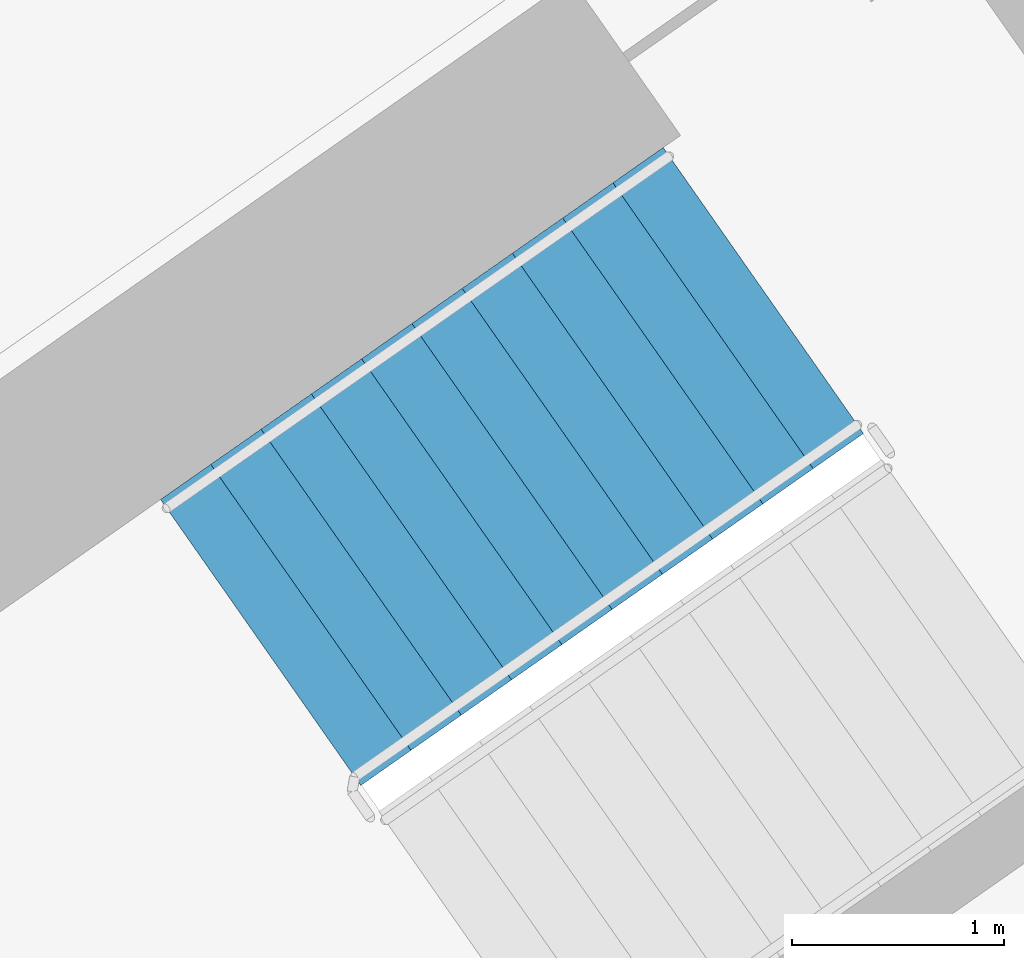
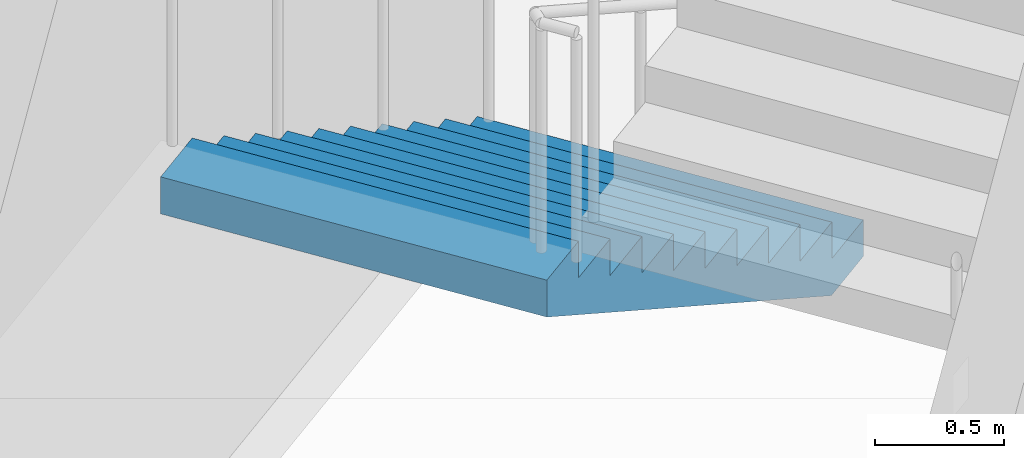
# One storey, part 15 of 30: 1 stair flight, 1 element without a shape of its own.
"""IFC4 building model written with IfcOpenShell, lengths in metres."""

from ifc_helpers import new_model, si_unit, direction, frame, origin, place, context, subcontext, project, spatial, faceted_brep, material, type_object, element, aggregate, save


model = new_model("IFC4")

# Units and contexts
model_context = context("Model", 3, precision=1e-05, world=origin(), true_north=direction((0.0, 1.0)))
body_context = subcontext(model_context, "Body", "Model", "MODEL_VIEW")
ifc_project = project(units=[si_unit("LENGTHUNIT", "METRE"), si_unit("AREAUNIT", "SQUARE_METRE"), si_unit("VOLUMEUNIT", "CUBIC_METRE"), si_unit("PLANEANGLEUNIT", "RADIAN"), si_unit("MASSUNIT", "GRAM", prefix="KILO")], contexts=[model_context])

# Site, building, storey
site_placement = place(None, origin())
site = spatial("IfcSite", under=ifc_project, at=site_placement, CompositionType="ELEMENT")
building_placement = place(site_placement, origin())
building = spatial("IfcBuilding", under=site, at=building_placement, Name="Qamariyya Broadcast Tower", CompositionType="ELEMENT")
storey_placement = place(building_placement, frame((0.0, 0.0, 125.300048828125)))
storey = spatial("IfcBuildingStorey", under=building, at=storey_placement, Name="L28", CompositionType="ELEMENT", Elevation=125.300048828125)

# Stair, stair flight
ifc_material = material(Name="Concrete C50/60", Category="concrete")
stair_type = type_object("IfcStairType", Name="Exit stair 22 risers of 173 mm", PredefinedType="HALF_TURN_STAIR", material=ifc_material)
stair_placement = place(storey_placement, origin())
stair = element("IfcStair", 1, at=stair_placement, inside=storey, type_object=stair_type, Name="L28 Stair E2", PredefinedType="HALF_TURN_STAIR")
stair_flight_type = type_object("IfcStairFlightType", Name="Exit stair flight 11 risers of 173 mm", PredefinedType="STRAIGHT", material=ifc_material)
stair_flight_placement = place(storey_placement, frame((40.558837890625, -47.685302734375, 0.0), z_axis=(0.0, 0.0, 1.0), x_axis=(-0.819152044289, -0.573576436351, 0.0)))
stair_flight = element("IfcStairFlight", 2, at=stair_flight_placement, type_object=stair_flight_type, Name="ST-E2 flight 1", NumberOfRisers=11, NumberOfTreads=10, PredefinedType="STRAIGHT", RiserHeight=0.172727273, TreadLength=0.29, context=body_context, shape_type="Brep", body=[
    faceted_brep([(0.0, 0.824951171875, 0.0), (0.0, 0.824951171875, 0.172607421875), (0.2900390625, 0.824951171875, 0.172607421875), (0.2900390625, 0.824951171875, 0.345458984375), (0.580078125, 0.824951171875, 0.345458984375), (0.580078125, 0.824951171875, 0.51806640625), (0.8701171875, 0.824951171875, 0.51806640625), (0.8701171875, 0.824951171875, 0.69091796875), (1.159912109375, 0.824951171875, 0.69091796875), (1.159912109375, 0.824951171875, 0.863525390625), (1.449951171875, 0.824951171875, 0.863525390625), (1.449951171875, 0.824951171875, 1.036376953125), (1.739990234375, 0.824951171875, 1.036376953125), (1.739990234375, 0.824951171875, 1.208984375), (2.030029296875, 0.824951171875, 1.208984375), (2.030029296875, 0.824951171875, 1.3818359375), (2.320068359375, 0.824951171875, 1.3818359375), (2.320068359375, 0.824951171875, 1.554443359375), (2.610107421875, 0.824951171875, 1.554443359375), (2.610107421875, 0.824951171875, 1.727294921875), (2.89990234375, 0.824951171875, 1.727294921875), (2.89990234375, 0.824951171875, 1.552734375), (0.29296875, 0.824951171875, 0.0), (0.29296875, -0.824951171875, 0.0), (2.89990234375, -0.824951171875, 1.552734375), (2.89990234375, -0.824951171875, 1.727294921875), (2.610107421875, -0.824951171875, 1.727294921875), (2.610107421875, -0.824951171875, 1.554443359375), (2.320068359375, -0.824951171875, 1.554443359375), (2.320068359375, -0.824951171875, 1.3818359375), (2.030029296875, -0.824951171875, 1.3818359375), (2.030029296875, -0.824951171875, 1.208984375), (1.739990234375, -0.824951171875, 1.208984375), (1.739990234375, -0.824951171875, 1.036376953125), (1.449951171875, -0.824951171875, 1.036376953125), (1.449951171875, -0.824951171875, 0.863525390625), (1.159912109375, -0.824951171875, 0.863525390625), (1.159912109375, -0.824951171875, 0.69091796875), (0.8701171875, -0.824951171875, 0.69091796875), (0.8701171875, -0.824951171875, 0.51806640625), (0.580078125, -0.824951171875, 0.51806640625), (0.580078125, -0.824951171875, 0.345458984375), (0.2900390625, -0.824951171875, 0.345458984375), (0.2900390625, -0.824951171875, 0.172607421875), (0.0, -0.824951171875, 0.172607421875), (0.0, -0.824951171875, 0.0), (0.0, 0.10009765625, 0.0), (0.0, 0.086669921875, 0.0), (0.0, 0.0732421875, 0.0), (0.0, 0.06005859375, 0.0), (0.0, 0.046630859375, 0.0), (0.0, 0.033447265625, 0.0), (0.0, 0.02001953125, 0.0), (0.0, 0.006591796875, 0.0), (0.0, -0.006591796875, 0.0), (0.0, -0.02001953125, 0.0), (0.0, -0.033447265625, 0.0), (0.0, -0.046630859375, 0.0), (0.0, -0.06005859375, 0.0), (0.0, -0.0732421875, 0.0), (0.0, -0.086669921875, 0.0), (0.0, -0.10009765625, 0.0), (0.0, -0.10009765625, 0.172607421875), (0.0, -0.086669921875, 0.172607421875), (0.0, -0.0732421875, 0.172607421875), (0.0, -0.06005859375, 0.172607421875), (0.0, -0.046630859375, 0.172607421875), (0.0, -0.033447265625, 0.172607421875), (0.0, -0.02001953125, 0.172607421875), (0.0, -0.006591796875, 0.172607421875), (0.0, 0.006591796875, 0.172607421875), (0.0, 0.02001953125, 0.172607421875), (0.0, 0.033447265625, 0.172607421875), (0.0, 0.046630859375, 0.172607421875), (0.0, 0.06005859375, 0.172607421875), (0.0, 0.0732421875, 0.172607421875), (0.0, 0.086669921875, 0.172607421875), (0.0, 0.10009765625, 0.172607421875), (0.2900390625, -0.10009765625, 0.172607421875), (0.2900390625, -0.086669921875, 0.172607421875), (0.2900390625, -0.0732421875, 0.172607421875), (0.2900390625, -0.06005859375, 0.172607421875), (0.2900390625, -0.046630859375, 0.172607421875), (0.2900390625, -0.033447265625, 0.172607421875), (0.2900390625, -0.02001953125, 0.172607421875), (0.2900390625, -0.006591796875, 0.172607421875), (0.2900390625, 0.006591796875, 0.172607421875), (0.2900390625, 0.02001953125, 0.172607421875), (0.2900390625, 0.033447265625, 0.172607421875), (0.2900390625, 0.046630859375, 0.172607421875), (0.2900390625, 0.06005859375, 0.172607421875), (0.2900390625, 0.0732421875, 0.172607421875), (0.2900390625, 0.086669921875, 0.172607421875), (0.2900390625, 0.10009765625, 0.172607421875), (0.2900390625, -0.10009765625, 0.345458984375), (0.2900390625, -0.086669921875, 0.345458984375), (0.2900390625, -0.0732421875, 0.345458984375), (0.2900390625, -0.06005859375, 0.345458984375), (0.2900390625, -0.046630859375, 0.345458984375), (0.2900390625, -0.033447265625, 0.345458984375), (0.2900390625, -0.02001953125, 0.345458984375), (0.2900390625, -0.006591796875, 0.345458984375), (0.2900390625, 0.006591796875, 0.345458984375), (0.2900390625, 0.02001953125, 0.345458984375), (0.2900390625, 0.033447265625, 0.345458984375), (0.2900390625, 0.046630859375, 0.345458984375), (0.2900390625, 0.06005859375, 0.345458984375), (0.2900390625, 0.0732421875, 0.345458984375), (0.2900390625, 0.086669921875, 0.345458984375), (0.2900390625, 0.10009765625, 0.345458984375), (0.580078125, -0.10009765625, 0.345458984375), (0.580078125, -0.086669921875, 0.345458984375), (0.580078125, -0.0732421875, 0.345458984375), (0.580078125, -0.06005859375, 0.345458984375), (0.580078125, -0.046630859375, 0.345458984375), (0.580078125, -0.033447265625, 0.345458984375), (0.580078125, -0.02001953125, 0.345458984375), (0.580078125, -0.006591796875, 0.345458984375), (0.580078125, 0.006591796875, 0.345458984375), (0.580078125, 0.02001953125, 0.345458984375), (0.580078125, 0.033447265625, 0.345458984375), (0.580078125, 0.046630859375, 0.345458984375), (0.580078125, 0.06005859375, 0.345458984375), (0.580078125, 0.0732421875, 0.345458984375), (0.580078125, 0.086669921875, 0.345458984375), (0.580078125, 0.10009765625, 0.345458984375), (0.580078125, -0.10009765625, 0.51806640625), (0.580078125, -0.086669921875, 0.51806640625), (0.580078125, -0.0732421875, 0.51806640625), (0.580078125, -0.06005859375, 0.51806640625), (0.580078125, -0.046630859375, 0.51806640625), (0.580078125, -0.033447265625, 0.51806640625), (0.580078125, -0.02001953125, 0.51806640625), (0.580078125, -0.006591796875, 0.51806640625), (0.580078125, 0.006591796875, 0.51806640625), (0.580078125, 0.02001953125, 0.51806640625), (0.580078125, 0.033447265625, 0.51806640625), (0.580078125, 0.046630859375, 0.51806640625), (0.580078125, 0.06005859375, 0.51806640625), (0.580078125, 0.0732421875, 0.51806640625), (0.580078125, 0.086669921875, 0.51806640625), (0.580078125, 0.10009765625, 0.51806640625), (0.8701171875, -0.10009765625, 0.51806640625), (0.8701171875, -0.086669921875, 0.51806640625), (0.8701171875, -0.0732421875, 0.51806640625), (0.8701171875, -0.06005859375, 0.51806640625), (0.8701171875, -0.046630859375, 0.51806640625), (0.8701171875, -0.033447265625, 0.51806640625), (0.8701171875, -0.02001953125, 0.51806640625), (0.8701171875, -0.006591796875, 0.51806640625), (0.8701171875, 0.006591796875, 0.51806640625), (0.8701171875, 0.02001953125, 0.51806640625), (0.8701171875, 0.033447265625, 0.51806640625), (0.8701171875, 0.046630859375, 0.51806640625), (0.8701171875, 0.06005859375, 0.51806640625), (0.8701171875, 0.0732421875, 0.51806640625), (0.8701171875, 0.086669921875, 0.51806640625), (0.8701171875, 0.10009765625, 0.51806640625), (0.8701171875, -0.10009765625, 0.69091796875), (0.8701171875, -0.086669921875, 0.69091796875), (0.8701171875, -0.0732421875, 0.69091796875), (0.8701171875, -0.06005859375, 0.69091796875), (0.8701171875, -0.046630859375, 0.69091796875), (0.8701171875, -0.033447265625, 0.69091796875), (0.8701171875, -0.02001953125, 0.69091796875), (0.8701171875, -0.006591796875, 0.69091796875), (0.8701171875, 0.006591796875, 0.69091796875), (0.8701171875, 0.02001953125, 0.69091796875), (0.8701171875, 0.033447265625, 0.69091796875), (0.8701171875, 0.046630859375, 0.69091796875), (0.8701171875, 0.06005859375, 0.69091796875), (0.8701171875, 0.0732421875, 0.69091796875), (0.8701171875, 0.086669921875, 0.69091796875), (0.8701171875, 0.10009765625, 0.69091796875), (1.159912109375, -0.10009765625, 0.69091796875), (1.159912109375, -0.086669921875, 0.69091796875), (1.159912109375, -0.0732421875, 0.69091796875), (1.159912109375, -0.06005859375, 0.69091796875), (1.159912109375, -0.046630859375, 0.69091796875), (1.159912109375, -0.033447265625, 0.69091796875), (1.159912109375, -0.02001953125, 0.69091796875), (1.159912109375, -0.006591796875, 0.69091796875), (1.159912109375, 0.006591796875, 0.69091796875), (1.159912109375, 0.02001953125, 0.69091796875), (1.159912109375, 0.033447265625, 0.69091796875), (1.159912109375, 0.046630859375, 0.69091796875), (1.159912109375, 0.06005859375, 0.69091796875), (1.159912109375, 0.0732421875, 0.69091796875), (1.159912109375, 0.086669921875, 0.69091796875), (1.159912109375, 0.10009765625, 0.69091796875), (1.159912109375, -0.10009765625, 0.863525390625), (1.159912109375, -0.086669921875, 0.863525390625), (1.159912109375, -0.0732421875, 0.863525390625), (1.159912109375, -0.06005859375, 0.863525390625), (1.159912109375, -0.046630859375, 0.863525390625), (1.159912109375, -0.033447265625, 0.863525390625), (1.159912109375, -0.02001953125, 0.863525390625), (1.159912109375, -0.006591796875, 0.863525390625), (1.159912109375, 0.006591796875, 0.863525390625), (1.159912109375, 0.02001953125, 0.863525390625), (1.159912109375, 0.033447265625, 0.863525390625), (1.159912109375, 0.046630859375, 0.863525390625), (1.159912109375, 0.06005859375, 0.863525390625), (1.159912109375, 0.0732421875, 0.863525390625), (1.159912109375, 0.086669921875, 0.863525390625), (1.159912109375, 0.10009765625, 0.863525390625), (1.449951171875, -0.10009765625, 0.863525390625), (1.449951171875, -0.086669921875, 0.863525390625), (1.449951171875, -0.0732421875, 0.863525390625), (1.449951171875, -0.06005859375, 0.863525390625), (1.449951171875, -0.046630859375, 0.863525390625), (1.449951171875, -0.033447265625, 0.863525390625), (1.449951171875, -0.02001953125, 0.863525390625), (1.449951171875, -0.006591796875, 0.863525390625), (1.449951171875, 0.006591796875, 0.863525390625), (1.449951171875, 0.02001953125, 0.863525390625), (1.449951171875, 0.033447265625, 0.863525390625), (1.449951171875, 0.046630859375, 0.863525390625), (1.449951171875, 0.06005859375, 0.863525390625), (1.449951171875, 0.0732421875, 0.863525390625), (1.449951171875, 0.086669921875, 0.863525390625), (1.449951171875, 0.10009765625, 0.863525390625), (1.449951171875, -0.10009765625, 1.036376953125), (1.449951171875, -0.086669921875, 1.036376953125), (1.449951171875, -0.0732421875, 1.036376953125), (1.449951171875, -0.06005859375, 1.036376953125), (1.449951171875, -0.046630859375, 1.036376953125), (1.449951171875, -0.033447265625, 1.036376953125), (1.449951171875, -0.02001953125, 1.036376953125), (1.449951171875, -0.006591796875, 1.036376953125), (1.449951171875, 0.006591796875, 1.036376953125), (1.449951171875, 0.02001953125, 1.036376953125), (1.449951171875, 0.033447265625, 1.036376953125), (1.449951171875, 0.046630859375, 1.036376953125), (1.449951171875, 0.06005859375, 1.036376953125), (1.449951171875, 0.0732421875, 1.036376953125), (1.449951171875, 0.086669921875, 1.036376953125), (1.449951171875, 0.10009765625, 1.036376953125), (1.739990234375, -0.10009765625, 1.036376953125), (1.739990234375, -0.086669921875, 1.036376953125), (1.739990234375, -0.0732421875, 1.036376953125), (1.739990234375, -0.06005859375, 1.036376953125), (1.739990234375, -0.046630859375, 1.036376953125), (1.739990234375, -0.033447265625, 1.036376953125), (1.739990234375, -0.02001953125, 1.036376953125), (1.739990234375, -0.006591796875, 1.036376953125), (1.739990234375, 0.006591796875, 1.036376953125), (1.739990234375, 0.02001953125, 1.036376953125), (1.739990234375, 0.033447265625, 1.036376953125), (1.739990234375, 0.046630859375, 1.036376953125), (1.739990234375, 0.06005859375, 1.036376953125), (1.739990234375, 0.0732421875, 1.036376953125), (1.739990234375, 0.086669921875, 1.036376953125), (1.739990234375, 0.10009765625, 1.036376953125), (1.739990234375, -0.10009765625, 1.208984375), (1.739990234375, -0.086669921875, 1.208984375), (1.739990234375, -0.0732421875, 1.208984375), (1.739990234375, -0.06005859375, 1.208984375), (1.739990234375, -0.046630859375, 1.208984375), (1.739990234375, -0.033447265625, 1.208984375), (1.739990234375, -0.02001953125, 1.208984375), (1.739990234375, -0.006591796875, 1.208984375), (1.739990234375, 0.006591796875, 1.208984375), (1.739990234375, 0.02001953125, 1.208984375), (1.739990234375, 0.033447265625, 1.208984375), (1.739990234375, 0.046630859375, 1.208984375), (1.739990234375, 0.06005859375, 1.208984375), (1.739990234375, 0.0732421875, 1.208984375), (1.739990234375, 0.086669921875, 1.208984375), (1.739990234375, 0.10009765625, 1.208984375), (2.030029296875, -0.10009765625, 1.208984375), (2.030029296875, -0.086669921875, 1.208984375), (2.030029296875, -0.0732421875, 1.208984375), (2.030029296875, -0.06005859375, 1.208984375), (2.030029296875, -0.046630859375, 1.208984375), (2.030029296875, -0.033447265625, 1.208984375), (2.030029296875, -0.02001953125, 1.208984375), (2.030029296875, -0.006591796875, 1.208984375), (2.030029296875, 0.006591796875, 1.208984375), (2.030029296875, 0.02001953125, 1.208984375), (2.030029296875, 0.033447265625, 1.208984375), (2.030029296875, 0.046630859375, 1.208984375), (2.030029296875, 0.06005859375, 1.208984375), (2.030029296875, 0.0732421875, 1.208984375), (2.030029296875, 0.086669921875, 1.208984375), (2.030029296875, 0.10009765625, 1.208984375), (2.030029296875, -0.10009765625, 1.3818359375), (2.030029296875, -0.086669921875, 1.3818359375), (2.030029296875, -0.0732421875, 1.3818359375), (2.030029296875, -0.06005859375, 1.3818359375), (2.030029296875, -0.046630859375, 1.3818359375), (2.030029296875, -0.033447265625, 1.3818359375), (2.030029296875, -0.02001953125, 1.3818359375), (2.030029296875, -0.006591796875, 1.3818359375), (2.030029296875, 0.006591796875, 1.3818359375), (2.030029296875, 0.02001953125, 1.3818359375), (2.030029296875, 0.033447265625, 1.3818359375), (2.030029296875, 0.046630859375, 1.3818359375), (2.030029296875, 0.06005859375, 1.3818359375), (2.030029296875, 0.0732421875, 1.3818359375), (2.030029296875, 0.086669921875, 1.3818359375), (2.030029296875, 0.10009765625, 1.3818359375), (2.320068359375, -0.10009765625, 1.3818359375), (2.320068359375, -0.086669921875, 1.3818359375), (2.320068359375, -0.0732421875, 1.3818359375), (2.320068359375, -0.06005859375, 1.3818359375), (2.320068359375, -0.046630859375, 1.3818359375), (2.320068359375, -0.033447265625, 1.3818359375), (2.320068359375, -0.02001953125, 1.3818359375), (2.320068359375, -0.006591796875, 1.3818359375), (2.320068359375, 0.006591796875, 1.3818359375), (2.320068359375, 0.02001953125, 1.3818359375), (2.320068359375, 0.033447265625, 1.3818359375), (2.320068359375, 0.046630859375, 1.3818359375), (2.320068359375, 0.06005859375, 1.3818359375), (2.320068359375, 0.0732421875, 1.3818359375), (2.320068359375, 0.086669921875, 1.3818359375), (2.320068359375, 0.10009765625, 1.3818359375), (2.320068359375, -0.10009765625, 1.554443359375), (2.320068359375, -0.086669921875, 1.554443359375), (2.320068359375, -0.0732421875, 1.554443359375), (2.320068359375, -0.06005859375, 1.554443359375), (2.320068359375, -0.046630859375, 1.554443359375), (2.320068359375, -0.033447265625, 1.554443359375), (2.320068359375, -0.02001953125, 1.554443359375), (2.320068359375, -0.006591796875, 1.554443359375), (2.320068359375, 0.006591796875, 1.554443359375), (2.320068359375, 0.02001953125, 1.554443359375), (2.320068359375, 0.033447265625, 1.554443359375), (2.320068359375, 0.046630859375, 1.554443359375), (2.320068359375, 0.06005859375, 1.554443359375), (2.320068359375, 0.0732421875, 1.554443359375), (2.320068359375, 0.086669921875, 1.554443359375), (2.320068359375, 0.10009765625, 1.554443359375), (2.610107421875, -0.10009765625, 1.554443359375), (2.610107421875, -0.086669921875, 1.554443359375), (2.610107421875, -0.0732421875, 1.554443359375), (2.610107421875, -0.06005859375, 1.554443359375), (2.610107421875, -0.046630859375, 1.554443359375), (2.610107421875, -0.033447265625, 1.554443359375), (2.610107421875, -0.02001953125, 1.554443359375), (2.610107421875, -0.006591796875, 1.554443359375), (2.610107421875, 0.006591796875, 1.554443359375), (2.610107421875, 0.02001953125, 1.554443359375), (2.610107421875, 0.033447265625, 1.554443359375), (2.610107421875, 0.046630859375, 1.554443359375), (2.610107421875, 0.06005859375, 1.554443359375), (2.610107421875, 0.0732421875, 1.554443359375), (2.610107421875, 0.086669921875, 1.554443359375), (2.610107421875, 0.10009765625, 1.554443359375), (2.610107421875, -0.10009765625, 1.727294921875), (2.610107421875, -0.086669921875, 1.727294921875), (2.610107421875, -0.0732421875, 1.727294921875), (2.610107421875, -0.06005859375, 1.727294921875), (2.610107421875, -0.046630859375, 1.727294921875), (2.610107421875, -0.033447265625, 1.727294921875), (2.610107421875, -0.02001953125, 1.727294921875), (2.610107421875, -0.006591796875, 1.727294921875), (2.610107421875, 0.006591796875, 1.727294921875), (2.610107421875, 0.02001953125, 1.727294921875), (2.610107421875, 0.033447265625, 1.727294921875), (2.610107421875, 0.046630859375, 1.727294921875), (2.610107421875, 0.06005859375, 1.727294921875), (2.610107421875, 0.0732421875, 1.727294921875), (2.610107421875, 0.086669921875, 1.727294921875), (2.610107421875, 0.10009765625, 1.727294921875), (2.89990234375, -0.10009765625, 1.727294921875), (2.89990234375, -0.086669921875, 1.727294921875), (2.89990234375, -0.0732421875, 1.727294921875), (2.89990234375, -0.06005859375, 1.727294921875), (2.89990234375, -0.046630859375, 1.727294921875), (2.89990234375, -0.033447265625, 1.727294921875), (2.89990234375, -0.02001953125, 1.727294921875), (2.89990234375, -0.006591796875, 1.727294921875), (2.89990234375, 0.006591796875, 1.727294921875), (2.89990234375, 0.02001953125, 1.727294921875), (2.89990234375, 0.033447265625, 1.727294921875), (2.89990234375, 0.046630859375, 1.727294921875), (2.89990234375, 0.06005859375, 1.727294921875), (2.89990234375, 0.0732421875, 1.727294921875), (2.89990234375, 0.086669921875, 1.727294921875), (2.89990234375, 0.10009765625, 1.727294921875), (2.89990234375, -0.10009765625, 1.552734375), (2.89990234375, -0.086669921875, 1.552734375), (2.89990234375, -0.0732421875, 1.552734375), (2.89990234375, -0.06005859375, 1.552734375), (2.89990234375, -0.046630859375, 1.552734375), (2.89990234375, -0.033447265625, 1.552734375), (2.89990234375, -0.02001953125, 1.552734375), (2.89990234375, -0.006591796875, 1.552734375), (2.89990234375, 0.006591796875, 1.552734375), (2.89990234375, 0.02001953125, 1.552734375), (2.89990234375, 0.033447265625, 1.552734375), (2.89990234375, 0.046630859375, 1.552734375), (2.89990234375, 0.06005859375, 1.552734375), (2.89990234375, 0.0732421875, 1.552734375), (2.89990234375, 0.086669921875, 1.552734375), (2.89990234375, 0.10009765625, 1.552734375), (0.29296875, -0.10009765625, 0.0), (0.29296875, -0.086669921875, 0.0), (0.29296875, -0.0732421875, 0.0), (0.29296875, -0.06005859375, 0.0), (0.29296875, -0.046630859375, 0.0), (0.29296875, -0.033447265625, 0.0), (0.29296875, -0.02001953125, 0.0), (0.29296875, -0.006591796875, 0.0), (0.29296875, 0.006591796875, 0.0), (0.29296875, 0.02001953125, 0.0), (0.29296875, 0.033447265625, 0.0), (0.29296875, 0.046630859375, 0.0), (0.29296875, 0.06005859375, 0.0), (0.29296875, 0.0732421875, 0.0), (0.29296875, 0.086669921875, 0.0), (0.29296875, 0.10009765625, 0.0)], [[[0, 1, 2, 3, 4, 5, 6, 7, 8, 9, 10, 11, 12, 13, 14, 15, 16, 17, 18, 19, 20, 21, 22]], [[23, 24, 25, 26, 27, 28, 29, 30, 31, 32, 33, 34, 35, 36, 37, 38, 39, 40, 41, 42, 43, 44, 45]], [[0, 46, 47, 48, 49, 50, 51, 52, 53, 54, 55, 56, 57, 58, 59, 60, 61, 45, 44, 62, 63, 64, 65, 66, 67, 68, 69, 70, 71, 72, 73, 74, 75, 76, 77, 1]], [[1, 77, 76, 75, 74, 73, 72, 71, 70, 69, 68, 67, 66, 65, 64, 63, 62, 44, 43, 78, 79, 80, 81, 82, 83, 84, 85, 86, 87, 88, 89, 90, 91, 92, 93, 2]], [[2, 93, 92, 91, 90, 89, 88, 87, 86, 85, 84, 83, 82, 81, 80, 79, 78, 43, 42, 94, 95, 96, 97, 98, 99, 100, 101, 102, 103, 104, 105, 106, 107, 108, 109, 3]], [[3, 109, 108, 107, 106, 105, 104, 103, 102, 101, 100, 99, 98, 97, 96, 95, 94, 42, 41, 110, 111, 112, 113, 114, 115, 116, 117, 118, 119, 120, 121, 122, 123, 124, 125, 4]], [[4, 125, 124, 123, 122, 121, 120, 119, 118, 117, 116, 115, 114, 113, 112, 111, 110, 41, 40, 126, 127, 128, 129, 130, 131, 132, 133, 134, 135, 136, 137, 138, 139, 140, 141, 5]], [[5, 141, 140, 139, 138, 137, 136, 135, 134, 133, 132, 131, 130, 129, 128, 127, 126, 40, 39, 142, 143, 144, 145, 146, 147, 148, 149, 150, 151, 152, 153, 154, 155, 156, 157, 6]], [[6, 157, 156, 155, 154, 153, 152, 151, 150, 149, 148, 147, 146, 145, 144, 143, 142, 39, 38, 158, 159, 160, 161, 162, 163, 164, 165, 166, 167, 168, 169, 170, 171, 172, 173, 7]], [[7, 173, 172, 171, 170, 169, 168, 167, 166, 165, 164, 163, 162, 161, 160, 159, 158, 38, 37, 174, 175, 176, 177, 178, 179, 180, 181, 182, 183, 184, 185, 186, 187, 188, 189, 8]], [[8, 189, 188, 187, 186, 185, 184, 183, 182, 181, 180, 179, 178, 177, 176, 175, 174, 37, 36, 190, 191, 192, 193, 194, 195, 196, 197, 198, 199, 200, 201, 202, 203, 204, 205, 9]], [[9, 205, 204, 203, 202, 201, 200, 199, 198, 197, 196, 195, 194, 193, 192, 191, 190, 36, 35, 206, 207, 208, 209, 210, 211, 212, 213, 214, 215, 216, 217, 218, 219, 220, 221, 10]], [[10, 221, 220, 219, 218, 217, 216, 215, 214, 213, 212, 211, 210, 209, 208, 207, 206, 35, 34, 222, 223, 224, 225, 226, 227, 228, 229, 230, 231, 232, 233, 234, 235, 236, 237, 11]], [[11, 237, 236, 235, 234, 233, 232, 231, 230, 229, 228, 227, 226, 225, 224, 223, 222, 34, 33, 238, 239, 240, 241, 242, 243, 244, 245, 246, 247, 248, 249, 250, 251, 252, 253, 12]], [[12, 253, 252, 251, 250, 249, 248, 247, 246, 245, 244, 243, 242, 241, 240, 239, 238, 33, 32, 254, 255, 256, 257, 258, 259, 260, 261, 262, 263, 264, 265, 266, 267, 268, 269, 13]], [[13, 269, 268, 267, 266, 265, 264, 263, 262, 261, 260, 259, 258, 257, 256, 255, 254, 32, 31, 270, 271, 272, 273, 274, 275, 276, 277, 278, 279, 280, 281, 282, 283, 284, 285, 14]], [[14, 285, 284, 283, 282, 281, 280, 279, 278, 277, 276, 275, 274, 273, 272, 271, 270, 31, 30, 286, 287, 288, 289, 290, 291, 292, 293, 294, 295, 296, 297, 298, 299, 300, 301, 15]], [[15, 301, 300, 299, 298, 297, 296, 295, 294, 293, 292, 291, 290, 289, 288, 287, 286, 30, 29, 302, 303, 304, 305, 306, 307, 308, 309, 310, 311, 312, 313, 314, 315, 316, 317, 16]], [[16, 317, 316, 315, 314, 313, 312, 311, 310, 309, 308, 307, 306, 305, 304, 303, 302, 29, 28, 318, 319, 320, 321, 322, 323, 324, 325, 326, 327, 328, 329, 330, 331, 332, 333, 17]], [[17, 333, 332, 331, 330, 329, 328, 327, 326, 325, 324, 323, 322, 321, 320, 319, 318, 28, 27, 334, 335, 336, 337, 338, 339, 340, 341, 342, 343, 344, 345, 346, 347, 348, 349, 18]], [[18, 349, 348, 347, 346, 345, 344, 343, 342, 341, 340, 339, 338, 337, 336, 335, 334, 27, 26, 350, 351, 352, 353, 354, 355, 356, 357, 358, 359, 360, 361, 362, 363, 364, 365, 19]], [[19, 365, 364, 363, 362, 361, 360, 359, 358, 357, 356, 355, 354, 353, 352, 351, 350, 26, 25, 366, 367, 368, 369, 370, 371, 372, 373, 374, 375, 376, 377, 378, 379, 380, 381, 20]], [[20, 381, 380, 379, 378, 377, 376, 375, 374, 373, 372, 371, 370, 369, 368, 367, 366, 25, 24, 382, 383, 384, 385, 386, 387, 388, 389, 390, 391, 392, 393, 394, 395, 396, 397, 21]], [[21, 397, 396, 395, 394, 393, 392, 391, 390, 389, 388, 387, 386, 385, 384, 383, 382, 24, 23, 398, 399, 400, 401, 402, 403, 404, 405, 406, 407, 408, 409, 410, 411, 412, 413, 22]], [[22, 413, 412, 411, 410, 409, 408, 407, 406, 405, 404, 403, 402, 401, 400, 399, 398, 23, 45, 61, 60, 59, 58, 57, 56, 55, 54, 53, 52, 51, 50, 49, 48, 47, 46, 0]]]),
])
aggregate(stair, [stair_flight])

save(model, "model.ifc")
